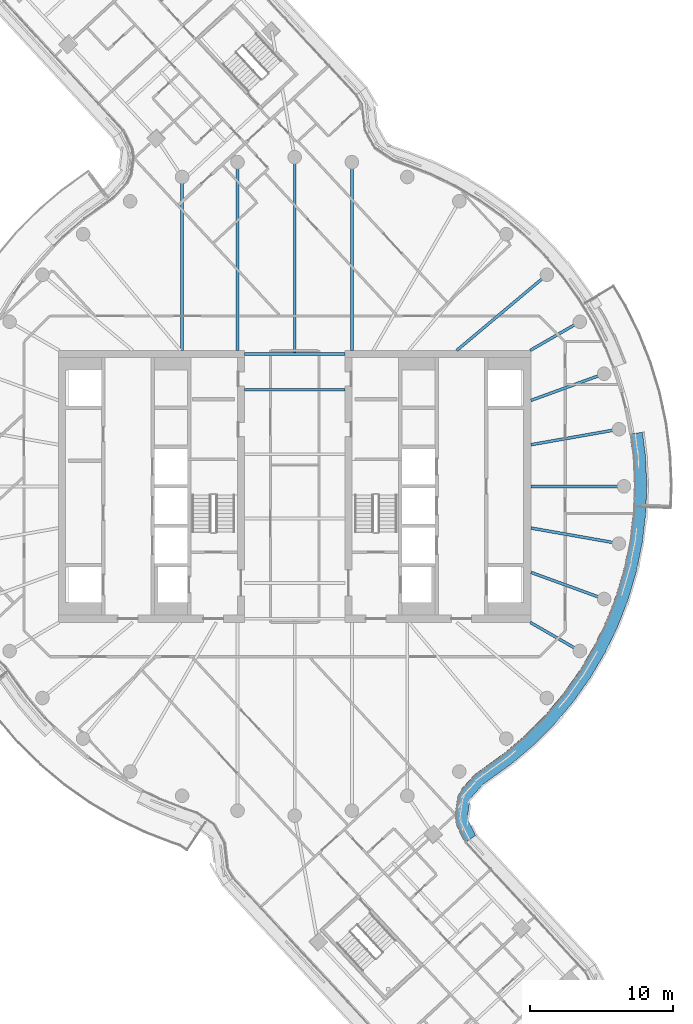
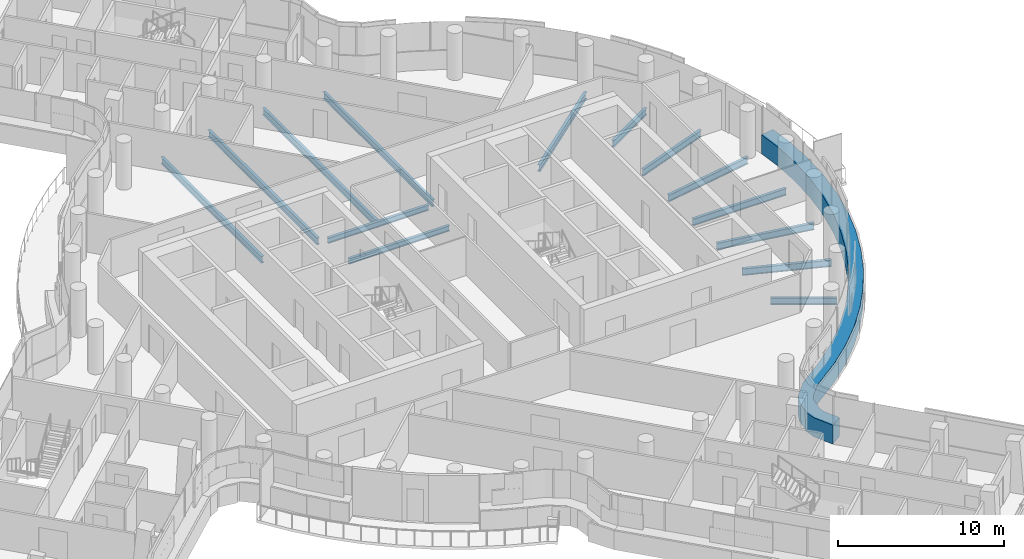
# One storey, part 12 of 34: 14 beams, 1 member, 1 element without a shape of its own.
"""IFC4 building model written with IfcOpenShell, lengths in metres."""

from ifc_helpers import new_model, si_unit, direction, frame, origin, origin_2d, place, context, subcontext, project, spatial, polyline, i_section, outline, extrude, material, layer, layer_set, material_profile, profile_set, type_object, element, aggregate, save


model = new_model("IFC4")

# Units and contexts
model_context = context("Model", 3, precision=1e-05, world=origin(), true_north=direction((0.0, 1.0)))
body_context = subcontext(model_context, "Body", "Model", "MODEL_VIEW")
ifc_project = project(units=[si_unit("LENGTHUNIT", "METRE"), si_unit("AREAUNIT", "SQUARE_METRE"), si_unit("VOLUMEUNIT", "CUBIC_METRE"), si_unit("PLANEANGLEUNIT", "RADIAN"), si_unit("MASSUNIT", "GRAM", prefix="KILO")], contexts=[model_context])

# Site, building, storey
site_placement = place(None, origin())
site = spatial("IfcSite", under=ifc_project, at=site_placement, CompositionType="ELEMENT")
building_placement = place(site_placement, origin())
building = spatial("IfcBuilding", under=site, at=building_placement, Name="Tamarind Cross Interchange Tower", CompositionType="ELEMENT")
storey_placement = place(building_placement, frame((0.0, 0.0, 189.699951171875)))
storey = spatial("IfcBuildingStorey", under=building, at=storey_placement, Name="L47", CompositionType="ELEMENT", Elevation=189.699951171875)

# Beams
ifc_material_1 = material(Name="Steel Q355B", Category="steel")
ifc_material_profile_1 = material_profile(ifc_material_1, i_section(OverallWidth=0.199951171875, OverallDepth=0.39990234375, WebThickness=0.008056640625, FlangeThickness=0.012939453125, FilletRadius=0.01611328125, at=origin_2d()), Name="HN 400x200x8x13")
ifc_profile_set_1 = profile_set([ifc_material_profile_1], Name="Steel Q355B")
beam_type_1 = type_object("IfcBeamType", Name="Composite beam HN 400x200x8x13 Q355B", PredefinedType="BEAM", material=ifc_profile_set_1)
for number, where, z_axis, x_axis, name in (
    (1, (-3.5, 6.75, -0.33984375), (1.0, 0.0, 0.0), (0.0, 1.0, 0.0), "Beam G6.75"),
    (2, (-3.5, 9.25, -0.33984375), (1.0, 0.0, 0.0), (0.0, 1.0, 0.0), "Beam G9.25"),
):
    element("IfcBeam", number, at=place(storey_placement, frame(where, z_axis=z_axis, x_axis=x_axis)), inside=storey, type_object=beam_type_1, Name=name, PredefinedType="BEAM", context=body_context, shape_type="SweptSolid", body=[
        extrude(i_section(OverallWidth=0.199951171875, OverallDepth=0.39990234375, WebThickness=0.008056640625, FlangeThickness=0.012939453125, FilletRadius=0.01611328125, at=origin_2d()), origin(), (0.0, 0.0, 1.0), 7.0),
    ])
ifc_material_profile_2 = material_profile(ifc_material_1, i_section(OverallWidth=0.198974609375, OverallDepth=0.49609375, WebThickness=0.009033203125, FlangeThickness=0.013916015625, FilletRadius=0.012939453125, at=origin_2d()), Name="HN 496x199x9x14")
ifc_profile_set_2 = profile_set([ifc_material_profile_2], Name="Steel Q355B")
beam_type_2 = type_object("IfcBeamType", Name="Composite beam HN 496x199x9x14 Q355B", PredefinedType="BEAM", material=ifc_profile_set_2)
beam_1_placement = place(storey_placement, frame((23.0, 0.0, -0.387939453125), z_axis=(-1.0, 0.0, 0.0), x_axis=(0.0, -1.0, 0.0)))
element("IfcBeam", 3, at=beam_1_placement, inside=storey, type_object=beam_type_2, Name="Beam HH00", PredefinedType="BEAM", context=body_context, shape_type="SweptSolid", body=[
    extrude(i_section(OverallWidth=0.198974609375, OverallDepth=0.49609375, WebThickness=0.009033203125, FlangeThickness=0.013916015625, FilletRadius=0.012939453125, at=origin_2d()), origin(), (0.0, 0.0, 1.0), 6.5),
])
beam_2_placement = place(storey_placement, frame((22.650634765625, 3.993896484375, -0.387939453125), z_axis=(-0.984809127561, -0.173640382036, 0.0), x_axis=(0.173640382036, -0.984809127561, 0.0)))
element("IfcBeam", 4, at=beam_2_placement, inside=storey, type_object=beam_type_2, Name="Beam HH01", PredefinedType="BEAM", context=body_context, shape_type="SweptSolid", body=[
    extrude(i_section(OverallWidth=0.198974609375, OverallDepth=0.49609375, WebThickness=0.009033203125, FlangeThickness=0.013916015625, FilletRadius=0.012939453125, at=origin_2d()), origin(), (0.0, 0.0, 1.0), 6.24560546875),
])
beam_3_placement = place(storey_placement, frame((21.613037109375, 7.866455078125, -0.387939453125), z_axis=(-0.939701685589, -0.341995236956, 0.0), x_axis=(0.341995236956, -0.939701685589, 0.0)))
element("IfcBeam", 5, at=beam_3_placement, inside=storey, type_object=beam_type_2, Name="Beam HH02", PredefinedType="BEAM", context=body_context, shape_type="SweptSolid", body=[
    extrude(i_section(OverallWidth=0.198974609375, OverallDepth=0.49609375, WebThickness=0.009033203125, FlangeThickness=0.013916015625, FilletRadius=0.012939453125, at=origin_2d()), origin(), (0.0, 0.0, 1.0), 5.441162109375),
])
beam_4_placement = place(storey_placement, frame((19.918701171875, 11.5, -0.387939453125), z_axis=(-0.866026010844, -0.49999894854, 0.0), x_axis=(0.49999894854, -0.866026010844, 0.0)))
element("IfcBeam", 6, at=beam_4_placement, inside=storey, type_object=beam_type_2, Name="Beam HH03", PredefinedType="BEAM", context=body_context, shape_type="SweptSolid", body=[
    extrude(i_section(OverallWidth=0.198974609375, OverallDepth=0.49609375, WebThickness=0.009033203125, FlangeThickness=0.013916015625, FilletRadius=0.012939453125, at=origin_2d()), origin(), (0.0, 0.0, 1.0), 4.0),
])
beam_5_placement = place(storey_placement, frame((17.619140625, 14.7841796875, -0.387939453125), z_axis=(-0.766040580814, -0.642792212574, 0.0), x_axis=(0.642792212574, -0.766040580814, 0.0)))
element("IfcBeam", 7, at=beam_5_placement, inside=storey, type_object=beam_type_2, Name="Beam HH04", PredefinedType="BEAM", context=body_context, shape_type="SweptSolid", body=[
    extrude(i_section(OverallWidth=0.198974609375, OverallDepth=0.49609375, WebThickness=0.009033203125, FlangeThickness=0.013916015625, FilletRadius=0.012939453125, at=origin_2d()), origin(), (0.0, 0.0, 1.0), 8.220703125),
])
beam_6_placement = place(storey_placement, frame((3.993896484375, 22.650634765625, -0.387939453125), z_axis=(0.0, -1.0, 0.0), x_axis=(1.0, 0.0, 0.0)))
element("IfcBeam", 8, at=beam_6_placement, inside=storey, type_object=beam_type_2, Name="Beam HH08", PredefinedType="BEAM", context=body_context, shape_type="SweptSolid", body=[
    extrude(i_section(OverallWidth=0.198974609375, OverallDepth=0.49609375, WebThickness=0.009033203125, FlangeThickness=0.013916015625, FilletRadius=0.012939453125, at=origin_2d()), origin(), (0.0, 0.0, 1.0), 13.150634765625),
])
beam_7_placement = place(storey_placement, frame((0.0, 23.0, -0.387939453125), z_axis=(0.0, -1.0, 0.0), x_axis=(1.0, 0.0, 0.0)))
element("IfcBeam", 9, at=beam_7_placement, inside=storey, type_object=beam_type_2, Name="Beam HH09", PredefinedType="BEAM", context=body_context, shape_type="SweptSolid", body=[
    extrude(i_section(OverallWidth=0.198974609375, OverallDepth=0.49609375, WebThickness=0.009033203125, FlangeThickness=0.013916015625, FilletRadius=0.012939453125, at=origin_2d()), origin(), (0.0, 0.0, 1.0), 13.75),
])
beam_8_placement = place(storey_placement, frame((-3.993896484375, 22.650634765625, -0.387939453125), z_axis=(0.0, -1.0, 0.0), x_axis=(1.0, 0.0, 0.0)))
element("IfcBeam", 10, at=beam_8_placement, inside=storey, type_object=beam_type_2, Name="Beam HH10", PredefinedType="BEAM", context=body_context, shape_type="SweptSolid", body=[
    extrude(i_section(OverallWidth=0.198974609375, OverallDepth=0.49609375, WebThickness=0.009033203125, FlangeThickness=0.013916015625, FilletRadius=0.012939453125, at=origin_2d()), origin(), (0.0, 0.0, 1.0), 13.150634765625),
])
beam_9_placement = place(storey_placement, frame((-7.866455078125, 21.613037109375, -0.387939453125), z_axis=(0.0, -1.0, 0.0), x_axis=(1.0, 0.0, 0.0)))
element("IfcBeam", 11, at=beam_9_placement, inside=storey, type_object=beam_type_2, Name="Beam HH11", PredefinedType="BEAM", context=body_context, shape_type="SweptSolid", body=[
    extrude(i_section(OverallWidth=0.198974609375, OverallDepth=0.49609375, WebThickness=0.009033203125, FlangeThickness=0.013916015625, FilletRadius=0.012939453125, at=origin_2d()), origin(), (0.0, 0.0, 1.0), 12.113037109375),
])
beam_10_placement = place(storey_placement, frame((19.918701171875, -11.5, -0.387939453125), z_axis=(-0.866026010844, 0.49999894854, 0.0), x_axis=(-0.49999894854, -0.866026010844, 0.0)))
element("IfcBeam", 12, at=beam_10_placement, inside=storey, type_object=beam_type_2, Name="Beam HH33", PredefinedType="BEAM", context=body_context, shape_type="SweptSolid", body=[
    extrude(i_section(OverallWidth=0.198974609375, OverallDepth=0.49609375, WebThickness=0.009033203125, FlangeThickness=0.013916015625, FilletRadius=0.012939453125, at=origin_2d()), origin(), (0.0, 0.0, 1.0), 4.0),
])
beam_11_placement = place(storey_placement, frame((21.613037109375, -7.866455078125, -0.387939453125), z_axis=(-0.939701685589, 0.341995236956, 0.0), x_axis=(-0.341995236956, -0.939701685589, 0.0)))
element("IfcBeam", 13, at=beam_11_placement, inside=storey, type_object=beam_type_2, Name="Beam HH34", PredefinedType="BEAM", context=body_context, shape_type="SweptSolid", body=[
    extrude(i_section(OverallWidth=0.198974609375, OverallDepth=0.49609375, WebThickness=0.009033203125, FlangeThickness=0.013916015625, FilletRadius=0.012939453125, at=origin_2d()), origin(), (0.0, 0.0, 1.0), 5.441162109375),
])
beam_12_placement = place(storey_placement, frame((22.650634765625, -3.993896484375, -0.387939453125), z_axis=(-0.984809127561, 0.173640382036, 0.0), x_axis=(-0.173640382036, -0.984809127561, 0.0)))
element("IfcBeam", 14, at=beam_12_placement, inside=storey, type_object=beam_type_2, Name="Beam HH35", PredefinedType="BEAM", context=body_context, shape_type="SweptSolid", body=[
    extrude(i_section(OverallWidth=0.198974609375, OverallDepth=0.49609375, WebThickness=0.009033203125, FlangeThickness=0.013916015625, FilletRadius=0.012939453125, at=origin_2d()), origin(), (0.0, 0.0, 1.0), 6.24560546875),
])

# Curtain wall, member
ifc_material_2 = material(Name="Aluminium 6063-T6", Category="aluminium")
ifc_layer = layer(ifc_material_2, 0.139892578125)
ifc_layer_set = layer_set([ifc_layer], Name="Aluminium 6063-T6")
curtain_wall_type = type_object("IfcCurtainWallType", Name="Hotel curtain wall, 4.5 m bays", PredefinedType="NOTDEFINED", material=ifc_layer_set)
curtain_wall_placement = place(storey_placement, origin())
curtain_wall = element("IfcCurtainWall", 15, at=curtain_wall_placement, inside=storey, type_object=curtain_wall_type, Name="CWS-L47-02", PredefinedType="NOTDEFINED")
ifc_material_3 = material(Name="Aluminium and insulated spandrel panel", Category="aluminium")
member_type = type_object("IfcMemberType", Name="Floor-edge blade transom", PredefinedType="USERDEFINED", material=ifc_material_3)
member_placement = place(storey_placement, origin())
member = element("IfcMember", 16, at=member_placement, type_object=member_type, Name="CWT-L47-02-0", ObjectType="TRANSOM", PredefinedType="USERDEFINED", context=body_context, shape_type="SweptSolid", body=[
    extrude(outline(polyline([(11.88623046875, -24.901123046875), (11.27783203125, -23.64404296875), (11.17626953125, -22.990234375), (11.35400390625, -21.75634765625), (11.635498046875, -21.15771484375), (12.564208984375, -20.133544921875), (13.03466796875, -19.789306640625), (14.634521484375, -18.636474609375), (16.12353515625, -17.3642578125), (17.50244140625, -15.973388671875), (18.76171875, -14.4736328125), (19.892822265625, -12.874755859375), (20.88818359375, -11.188232421875), (21.74072265625, -9.425048828125), (22.444580078125, -7.597412109375), (22.995361328125, -5.718017578125), (23.38916015625, -3.799560546875), (23.623046875, -1.855224609375), (23.695556640625, 0.10205078125), (23.606201171875, 2.058349609375), (23.4013671875, 3.64599609375), (24.290771484375, 3.784423828125), (24.50341796875, 2.13671875), (24.59619140625, 0.10595703125), (24.52099609375, -1.925537109375), (24.2783203125, -3.944091796875), (23.86962890625, -5.935302734375), (23.2978515625, -7.88623046875), (22.567138671875, -9.783203125), (21.68212890625, -11.613525390625), (20.64892578125, -13.3642578125), (19.474853515625, -15.023681640625), (18.167724609375, -16.580810546875), (16.736572265625, -18.0244140625), (15.19091796875, -19.344970703125), (13.5634765625, -20.517333984375), (13.169677734375, -20.8056640625), (12.392578125, -21.66259765625), (12.2255859375, -22.017578125), (12.08642578125, -22.9853515625), (12.146484375, -23.373046875), (12.638427734375, -24.38916015625), (11.88623046875, -24.901123046875)])), origin(), (0.0, 0.0, 1.0), 1.400146484375),
])
aggregate(curtain_wall, [member])

save(model, "model.ifc")
